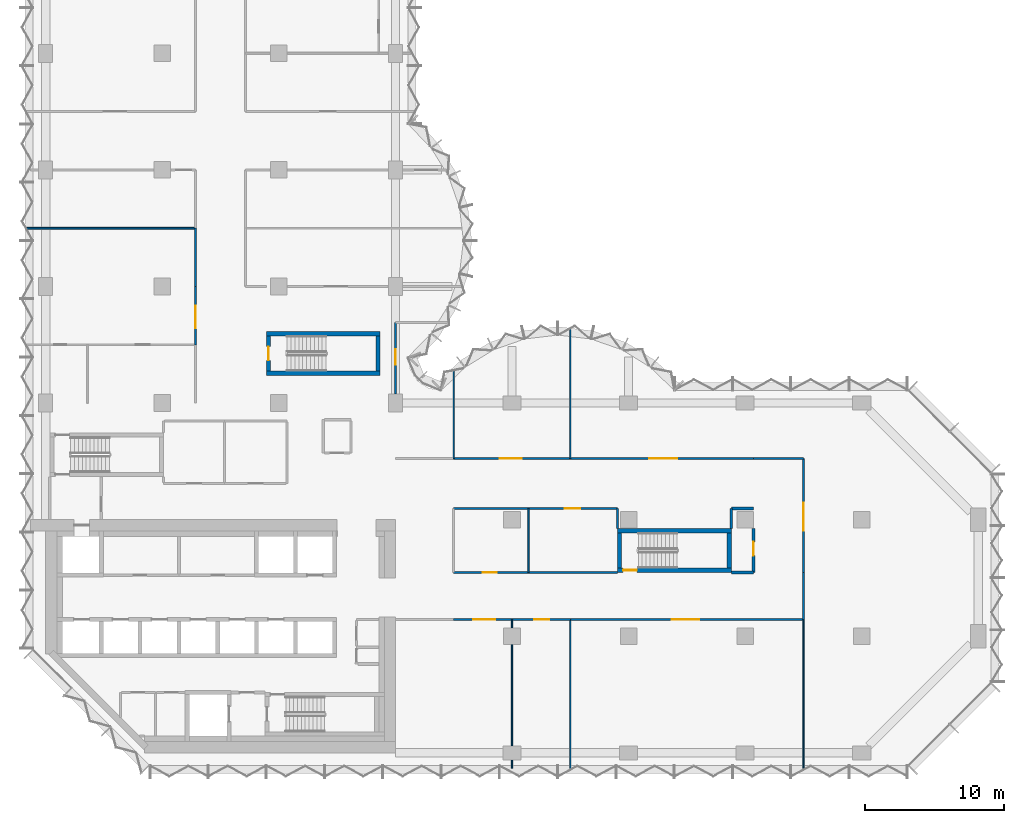
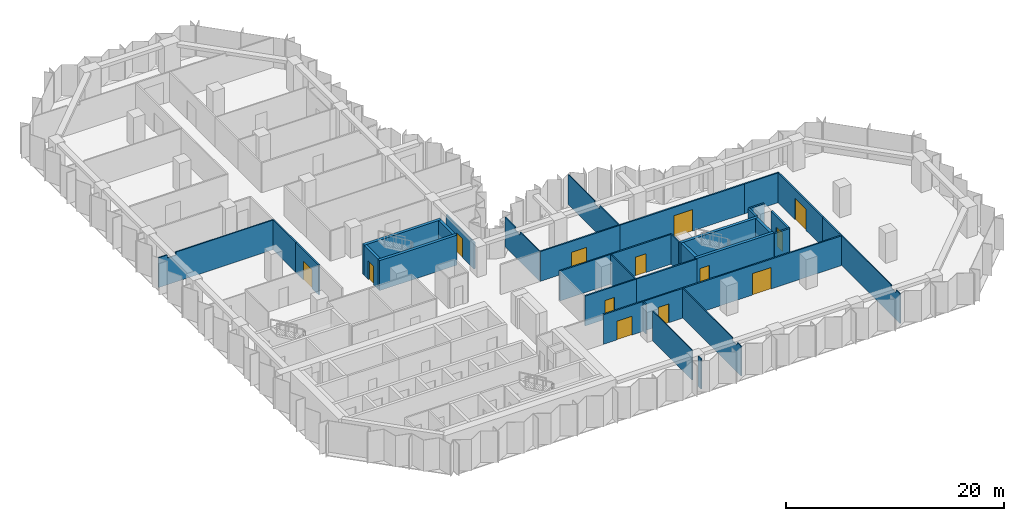
# One storey, part 9 of 13: 37 walls, 13 doors, 13 openings.
"""IFC4 building model written with IfcOpenShell, lengths in metres."""

from ifc_helpers import new_model, si_unit, direction, frame, frame_2d, origin, place, context, subcontext, project, spatial, polyline, rectangle, outline, extrude, material, layer, layer_set, type_object, element, fill, save


model = new_model("IFC4")

# Units and contexts
model_context = context("Model", 3, precision=1e-05, world=origin(), true_north=direction((0.0, 1.0)))
body_context = subcontext(model_context, "Body", "Model", "MODEL_VIEW")
ifc_project = project(units=[si_unit("LENGTHUNIT", "METRE"), si_unit("AREAUNIT", "SQUARE_METRE"), si_unit("VOLUMEUNIT", "CUBIC_METRE"), si_unit("PLANEANGLEUNIT", "RADIAN"), si_unit("MASSUNIT", "GRAM", prefix="KILO")], contexts=[model_context])

# Site, building, storey
site_placement = place(None, origin())
site = spatial("IfcSite", under=ifc_project, at=site_placement, CompositionType="ELEMENT")
building_placement = place(site_placement, origin())
building = spatial("IfcBuilding", under=site, at=building_placement, Name="Brevane Broadcast Tower", CompositionType="ELEMENT")
storey_placement = place(building_placement, frame((0.0, 0.0, 91.699951171875)))
storey = spatial("IfcBuildingStorey", under=building, at=storey_placement, Name="L21", CompositionType="ELEMENT", Elevation=91.699951171875)

# Walls
ifc_material_1 = material(Name="Concrete C60/75", Category="concrete")
ifc_layer_1 = layer(ifc_material_1, 0.300048828125)
ifc_layer_set_1 = layer_set([ifc_layer_1], Name="Core wall 300 mm C60/75")
wall_type_1 = type_object("IfcWallType", Name="Core wall 300 mm C60/75", PredefinedType="SHEAR", material=ifc_layer_set_1)
for number, where, z_axis, x_axis, name in (
    (1, (15.89990234375, 27.35009765625, 0.0), (0.0, 0.0, 1.0), (1.0, 0.0, 0.0), "L21 stair wall ST-3-S"),
    (2, (15.89990234375, 30.199951171875, 0.0), (0.0, 0.0, 1.0), (1.0, 0.0, 0.0), "L21 stair wall ST-3-N"),
):
    element("IfcWall", number, at=place(storey_placement, frame(where, z_axis=z_axis, x_axis=x_axis)), inside=storey, type_object=wall_type_1, Name=name, PredefinedType="SHEAR", context=body_context, shape_type="SweptSolid", body=[
        extrude(rectangle(XDim=8.2001953125, YDim=0.300048828125, at=frame_2d((4.10009765625, 0.0))), origin(), (0.0, 0.0, 1.0), 3.35009765625),
    ])

# Wall, opening, door
wall_1_placement = place(storey_placement, frame((16.050048828125, 27.5, 0.0), z_axis=(0.0, 0.0, 1.0), x_axis=(0.0, 1.0, 0.0)))
wall_1 = element("IfcWall", 3, at=wall_1_placement, inside=storey, type_object=wall_type_1, Name="L21 stair wall ST-3-W", PredefinedType="SHEAR", context=body_context, shape_type="SweptSolid", body=[
    extrude(rectangle(XDim=2.550048828125, YDim=0.300048828125, at=frame_2d((1.27490234375, 0.0))), origin(), (0.0, 0.0, 1.0), 3.35009765625),
])
opening_1_placement = place(wall_1_placement, frame((0.77490234375, 0.0, 0.0)))
opening_1 = element("IfcOpeningElement", 4, at=opening_1_placement, cuts=wall_1, Name="Opening L21-K14", PredefinedType="OPENING", context=body_context, shape_type="SweptSolid", body=[
    extrude(rectangle(XDim=1.0, YDim=2.10009765625, at=frame_2d((0.5, 1.050048828125))), frame((0.0, 0.159912109375, 0.0), z_axis=(0.0, -1.0, 0.0), x_axis=(1.0, 0.0, 0.0)), (0.0, 0.0, 1.0), 0.320068359375),
])
ifc_material_2 = material(Name="Steel", Category="steel")
door_type_1 = type_object("IfcDoorType", Name="Stair door 1000 x 2100", OperationType="SINGLE_SWING_LEFT", PredefinedType="DOOR", material=ifc_material_2)
door_1_placement = place(opening_1_placement, origin())
door_1 = element("IfcDoor", 5, at=door_1_placement, inside=storey, type_object=door_type_1, Name="Door L21-K14", OperationType="SINGLE_SWING_RIGHT", OverallHeight=2.10009765625, OverallWidth=1.0, PredefinedType="DOOR", context=body_context, shape_type="SweptSolid", body=[
    extrude(rectangle(XDim=1.0, YDim=2.10009765625, at=frame_2d((0.5, 1.050048828125))), frame((0.0, 0.02490234375, 0.0), z_axis=(0.0, -1.0, 0.0), x_axis=(1.0, 0.0, 0.0)), (0.0, 0.0, 1.0), 0.050048828125),
])
fill(opening_1, door_1)

# Wall
wall_2_placement = place(storey_placement, frame((23.949951171875, 27.5, 0.0), z_axis=(0.0, 0.0, 1.0), x_axis=(0.0, 1.0, 0.0)))
element("IfcWall", 6, at=wall_2_placement, inside=storey, type_object=wall_type_1, Name="L21 stair wall ST-3-E", PredefinedType="SHEAR", context=body_context, shape_type="SweptSolid", body=[
    extrude(rectangle(XDim=2.550048828125, YDim=0.300048828125, at=frame_2d((1.27490234375, 0.0))), origin(), (0.0, 0.0, 1.0), 3.35009765625),
])

# Wall, opening, door
wall_3_placement = place(storey_placement, frame((49.39990234375, 13.14990234375, 0.0), z_axis=(0.0, 0.0, 1.0), x_axis=(-1.0, 0.0, 0.0)))
wall_3 = element("IfcWall", 7, at=wall_3_placement, inside=storey, type_object=wall_type_1, Name="L21 stair wall ST-4-S", PredefinedType="SHEAR", context=body_context, shape_type="SweptSolid", body=[
    extrude(rectangle(XDim=8.199951171875, YDim=0.300048828125, at=frame_2d((4.10009765625, 0.0))), origin(), (0.0, 0.0, 1.0), 3.35009765625),
])
opening_2_placement = place(wall_3_placement, frame((6.800048828125, 0.0, 0.0)))
opening_2 = element("IfcOpeningElement", 8, at=opening_2_placement, cuts=wall_3, Name="Opening L21-K15", PredefinedType="OPENING", context=body_context, shape_type="SweptSolid", body=[
    extrude(rectangle(XDim=1.0, YDim=2.10009765625, at=frame_2d((0.5, 1.050048828125))), frame((0.0, 0.159912109375, 0.0), z_axis=(0.0, -1.0, 0.0), x_axis=(1.0, 0.0, 0.0)), (0.0, 0.0, 1.0), 0.320068359375),
])
door_2_placement = place(opening_2_placement, origin())
door_2 = element("IfcDoor", 9, at=door_2_placement, inside=storey, type_object=door_type_1, Name="Door L21-K15", OperationType="SINGLE_SWING_LEFT", OverallHeight=2.10009765625, OverallWidth=1.0, PredefinedType="DOOR", context=body_context, shape_type="SweptSolid", body=[
    extrude(rectangle(XDim=1.0, YDim=2.10009765625, at=frame_2d((0.5, 1.050048828125))), frame((0.0, 0.02490234375, 0.0), z_axis=(0.0, -1.0, 0.0), x_axis=(1.0, 0.0, 0.0)), (0.0, 0.0, 1.0), 0.050048828125),
])
fill(opening_2, door_2)

# Walls
wall_4_placement = place(storey_placement, frame((41.199951171875, 16.0, 0.0), z_axis=(0.0, 0.0, 1.0), x_axis=(1.0, 0.0, 0.0)))
element("IfcWall", 10, at=wall_4_placement, inside=storey, type_object=wall_type_1, Name="L21 stair wall ST-4-N", PredefinedType="SHEAR", context=body_context, shape_type="SweptSolid", body=[
    extrude(rectangle(XDim=8.199951171875, YDim=0.300048828125, at=frame_2d((4.10009765625, 0.0))), origin(), (0.0, 0.0, 1.0), 3.35009765625),
])
for number, where, z_axis, x_axis, name in (
    (11, (41.35009765625, 13.300048828125, 0.0), (0.0, 0.0, 1.0), (0.0, 1.0, 0.0), "L21 stair wall ST-4-W"),
    (12, (49.25, 13.300048828125, 0.0), (0.0, 0.0, 1.0), (0.0, 1.0, 0.0), "L21 stair wall ST-4-E"),
):
    element("IfcWall", number, at=place(storey_placement, frame(where, z_axis=z_axis, x_axis=x_axis)), inside=storey, type_object=wall_type_1, Name=name, PredefinedType="SHEAR", context=body_context, shape_type="SweptSolid", body=[
        extrude(rectangle(XDim=2.550048828125, YDim=0.300048828125, at=frame_2d((1.27490234375, 0.0))), origin(), (0.0, 0.0, 1.0), 3.35009765625),
    ])
ifc_material_3 = material(Name="Gypsum board partition")
ifc_layer_2 = layer(ifc_material_3, 0.10009765625)
ifc_layer_set_2 = layer_set([ifc_layer_2], Name="PARTITION 100 STUD")
wall_type_2 = type_object("IfcWallType", Name="PARTITION 100 STUD", PredefinedType="PARTITIONING", material=ifc_layer_set_2)
wall_5_placement = place(storey_placement, frame((29.39990234375, 27.510986328125, 0.0), z_axis=(0.0, 0.0, 1.0), x_axis=(0.0, -1.0, 0.0)))
element("IfcWall", 13, at=wall_5_placement, inside=storey, type_object=wall_type_2, Name="Partition G06-004", PredefinedType="PARTITIONING", context=body_context, shape_type="SweptSolid", body=[
    extrude(outline(polyline([(0.0, 0.0), (6.31103515625, 0.0), (6.31103515625, 3.330078125), (2.760986328125, 3.330078125), (2.759033203125, 2.97998046875), (1.863037109375, 2.97998046875), (1.861083984375, 3.330078125), (0.236083984375, 3.330078125), (0.0, 3.330078125), (0.0, 0.0)])), frame((0.0, 0.050048828125, 0.0), z_axis=(0.0, -1.0, 0.0), x_axis=(1.0, 0.0, 0.0)), (0.0, 0.0, 1.0), 0.10009765625),
])
wall_6_placement = place(storey_placement, frame((54.60009765625, -1.174072265625, 0.0), z_axis=(0.0, 0.0, 1.0), x_axis=(0.0, 1.0, 0.0)))
element("IfcWall", 14, at=wall_6_placement, inside=storey, type_object=wall_type_2, Name="Partition G06-015", PredefinedType="PARTITIONING", context=body_context, shape_type="SweptSolid", body=[
    extrude(outline(polyline([(0.0, 0.0), (10.774169921875, 0.0), (10.77392578125, 3.330078125), (1.6240234375, 3.330078125), (1.6220703125, 2.97998046875), (0.72607421875, 2.97998046875), (0.72412109375, 3.330078125), (0.073974609375, 3.330078125), (0.0, 3.330078125), (0.0, 0.0)])), frame((0.0, 0.050048828125, 0.0), z_axis=(0.0, -1.0, 0.0), x_axis=(1.0, 0.0, 0.0)), (0.0, 0.0, 1.0), 0.10009765625),
])
wall_7_placement = place(storey_placement, frame((34.800048828125, 17.60009765625, 0.0), z_axis=(0.0, 0.0, 1.0), x_axis=(0.0, -1.0, 0.0)))
element("IfcWall", 15, at=wall_7_placement, inside=storey, type_object=wall_type_2, Name="Partition G06-025", PredefinedType="PARTITIONING", context=body_context, shape_type="SweptSolid", body=[
    extrude(rectangle(XDim=4.60009765625, YDim=0.10009765625, at=frame_2d((2.300048828125, 0.0))), origin(), (0.0, 0.0, 1.0), 3.330078125),
])
wall_8_placement = place(storey_placement, frame((33.60009765625, 9.60009765625, 0.0), z_axis=(0.0, 0.0, 1.0), x_axis=(0.0, -1.0, 0.0)))
element("IfcWall", 16, at=wall_8_placement, inside=storey, type_object=wall_type_2, Name="Partition G06-026", PredefinedType="PARTITIONING", context=body_context, shape_type="SweptSolid", body=[
    extrude(rectangle(XDim=0.580078125, YDim=0.10009765625, at=frame_2d((0.2900390625, 0.0))), origin(), (0.0, 0.0, 1.0), 3.330078125),
])
wall_9_placement = place(storey_placement, frame((33.60009765625, 7.780029296875, 0.0), z_axis=(0.0, 0.0, 1.0), x_axis=(0.0, -1.0, 0.0)))
element("IfcWall", 17, at=wall_9_placement, inside=storey, type_object=wall_type_2, Name="Partition G06-027", PredefinedType="PARTITIONING", context=body_context, shape_type="SweptSolid", body=[
    extrude(rectangle(XDim=7.260009765625, YDim=0.10009765625, at=frame_2d((3.6298828125, 0.0))), origin(), (0.0, 0.0, 1.0), 3.330078125),
])
wall_10_placement = place(storey_placement, frame((33.60009765625, -0.52001953125, 0.0), z_axis=(0.0, 0.0, 1.0), x_axis=(0.0, -1.0, 0.0)))
element("IfcWall", 18, at=wall_10_placement, inside=storey, type_object=wall_type_2, Name="Partition G06-028", PredefinedType="PARTITIONING", context=body_context, shape_type="SweptSolid", body=[
    extrude(rectangle(XDim=0.580078125, YDim=0.10009765625, at=frame_2d((0.2900390625, 0.0))), origin(), (0.0, 0.0, 1.0), 3.330078125),
])
wall_11_placement = place(storey_placement, frame((37.800048828125, 9.60009765625, 0.0), z_axis=(0.0, 0.0, 1.0), x_axis=(0.0, -1.0, 0.0)))
element("IfcWall", 19, at=wall_11_placement, inside=storey, type_object=wall_type_2, Name="Partition G06-029", PredefinedType="PARTITIONING", context=body_context, shape_type="SweptSolid", body=[
    extrude(outline(polyline([(0.0, 0.0), (10.774169921875, 0.0), (10.77392578125, 3.330078125), (10.699951171875, 3.330078125), (10.050048828125, 3.330078125), (10.048095703125, 2.97998046875), (9.152099609375, 2.97998046875), (9.14990234375, 3.330078125), (0.0, 3.330078125), (0.0, 0.0)])), frame((0.0, 0.050048828125, 0.0), z_axis=(0.0, -1.0, 0.0), x_axis=(1.0, 0.0, 0.0)), (0.0, 0.0, 1.0), 0.10009765625),
])
wall_12_placement = place(storey_placement, frame((37.800048828125, 30.52587890625, 0.0), z_axis=(0.0, 0.0, 1.0), x_axis=(0.0, -1.0, 0.0)))
element("IfcWall", 20, at=wall_12_placement, inside=storey, type_object=wall_type_2, Name="Partition G06-030", PredefinedType="PARTITIONING", context=body_context, shape_type="SweptSolid", body=[
    extrude(outline(polyline([(0.0, 0.0), (9.325927734375, 0.0), (9.325927734375, 3.330078125), (5.77587890625, 3.330078125), (5.77392578125, 2.97998046875), (4.8779296875, 2.97998046875), (4.8759765625, 3.330078125), (0.283203125, 3.330078125), (0.0, 3.330078125), (0.0, 0.0)])), frame((0.0, 0.050048828125, 0.0), z_axis=(0.0, -1.0, 0.0), x_axis=(1.0, 0.0, 0.0)), (0.0, 0.0, 1.0), 0.10009765625),
])
ifc_layer_3 = layer(ifc_material_3, 0.125)
ifc_layer_set_3 = layer_set([ifc_layer_3], Name="PARTITION 125 ACOUSTIC")
wall_type_3 = type_object("IfcWallType", Name="PARTITION 125 ACOUSTIC", PredefinedType="PARTITIONING", material=ifc_layer_set_3)
wall_13_placement = place(storey_placement, frame((-1.364990234375, 37.800048828125, 0.0), z_axis=(0.0, 0.0, 1.0), x_axis=(1.0, 0.0, 0.0)))
element("IfcWall", 21, at=wall_13_placement, inside=storey, type_object=wall_type_3, Name="Partition G06-054", PredefinedType="PARTITIONING", context=body_context, shape_type="SweptSolid", body=[
    extrude(outline(polyline([(0.0, 0.0), (12.1650390625, 0.0), (12.1650390625, 3.330078125), (1.81494140625, 3.330078125), (1.81298828125, 2.97998046875), (0.9169921875, 2.97998046875), (0.9150390625, 3.330078125), (0.264892578125, 3.330078125), (0.0, 3.330078125), (0.0, 0.0)])), frame((0.0, 0.0625, 0.0), z_axis=(0.0, -1.0, 0.0), x_axis=(1.0, 0.0, 0.0)), (0.0, 0.0, 1.0), 0.125),
])

# Wall, opening, door
ifc_layer_4 = layer(ifc_material_3, 0.14990234375)
ifc_layer_set_4 = layer_set([ifc_layer_4], Name="PARTITION 150 EI 60")
wall_type_4 = type_object("IfcWallType", Name="PARTITION 150 EI 60", PredefinedType="PARTITIONING", material=ifc_layer_set_4)
wall_14_placement = place(storey_placement, frame((25.199951171875, 31.0, 0.0), z_axis=(0.0, 0.0, 1.0), x_axis=(0.0, -1.0, 0.0)))
wall_14 = element("IfcWall", 22, at=wall_14_placement, inside=storey, type_object=wall_type_4, Name="Partition G06-005", PredefinedType="PARTITIONING", context=body_context, shape_type="SweptSolid", body=[
    extrude(outline(polyline([(0.0, 0.0), (5.1298828125, 0.0), (5.1298828125, 2.97998046875), (0.0, 2.97998046875), (0.0, 0.0)])), frame((0.0, 0.074951171875, 0.0), z_axis=(0.0, -1.0, 0.0), x_axis=(1.0, 0.0, 0.0)), (0.0, 0.0, 1.0), 0.14990234375),
])
opening_3_placement = place(wall_14_placement, frame((1.929931640625, 0.0, 0.0)))
opening_3 = element("IfcOpeningElement", 23, at=opening_3_placement, cuts=wall_14, Name="Opening D13-001", PredefinedType="OPENING", context=body_context, shape_type="SweptSolid", body=[
    extrude(rectangle(XDim=1.10009765625, YDim=2.10009765625, at=frame_2d((0.550048828125, 1.050048828125))), frame((0.0, 0.0849609375, 0.0), z_axis=(0.0, -1.0, 0.0), x_axis=(1.0, 0.0, 0.0)), (0.0, 0.0, 1.0), 0.169921875),
])
ifc_material_4 = material(Name="Fire-rated timber door leaf", Category="wood")
door_type_2 = type_object("IfcDoorType", Name="DOOR SINGLE 1100 FD30S", OperationType="SINGLE_SWING_LEFT", PredefinedType="DOOR", material=ifc_material_4)
door_3_placement = place(opening_3_placement, origin())
door_3 = element("IfcDoor", 24, at=door_3_placement, inside=storey, type_object=door_type_2, Name="Door D13-001", OperationType="SINGLE_SWING_RIGHT", OverallHeight=2.10009765625, OverallWidth=1.10009765625, PredefinedType="DOOR", context=body_context, shape_type="SweptSolid", body=[
    extrude(rectangle(XDim=1.10009765625, YDim=2.10009765625, at=frame_2d((0.550048828125, 1.050048828125))), frame((0.0, 0.02490234375, 0.0), z_axis=(0.0, -1.0, 0.0), x_axis=(1.0, 0.0, 0.0)), (0.0, 0.0, 1.0), 0.050048828125),
])
fill(opening_3, door_3)

# Wall
wall_15_placement = place(storey_placement, frame((54.60009765625, 13.0, 0.0), z_axis=(0.0, 0.0, 1.0), x_axis=(0.0, -1.0, 0.0)))
element("IfcWall", 25, at=wall_15_placement, inside=storey, type_object=wall_type_4, Name="Partition G06-007", PredefinedType="PARTITIONING", context=body_context, shape_type="SweptSolid", body=[
    extrude(rectangle(XDim=3.39990234375, YDim=0.14990234375, at=frame_2d((1.699951171875, 0.0))), origin(), (0.0, 0.0, 1.0), 3.330078125),
])

# Wall, opening, door
wall_16_placement = place(storey_placement, frame((29.39990234375, 13.0, 0.0), z_axis=(0.0, 0.0, 1.0), x_axis=(1.0, 0.0, 0.0)))
wall_16 = element("IfcWall", 26, at=wall_16_placement, inside=storey, type_object=wall_type_4, Name="Partition G06-008", PredefinedType="PARTITIONING", context=body_context, shape_type="SweptSolid", body=[
    extrude(rectangle(XDim=5.400146484375, YDim=0.14990234375, at=frame_2d((2.7001953125, 0.0))), origin(), (0.0, 0.0, 1.0), 3.330078125),
])
opening_4_placement = place(wall_16_placement, frame((2.10009765625, 0.0, 0.0)))
opening_4 = element("IfcOpeningElement", 27, at=opening_4_placement, cuts=wall_16, Name="Opening D13-003", PredefinedType="OPENING", context=body_context, shape_type="SweptSolid", body=[
    extrude(rectangle(XDim=1.0, YDim=2.10009765625, at=frame_2d((0.5, 1.050048828125))), frame((0.0, 0.0849609375, 0.0), z_axis=(0.0, -1.0, 0.0), x_axis=(1.0, 0.0, 0.0)), (0.0, 0.0, 1.0), 0.169921875),
])
door_type_3 = type_object("IfcDoorType", Name="DOOR SINGLE 1000 FD30S", OperationType="SINGLE_SWING_LEFT", PredefinedType="DOOR", material=ifc_material_4)
door_4_placement = place(opening_4_placement, origin())
door_4 = element("IfcDoor", 28, at=door_4_placement, inside=storey, type_object=door_type_3, Name="Door D13-003", OperationType="SINGLE_SWING_LEFT", OverallHeight=2.10009765625, OverallWidth=1.0, PredefinedType="DOOR", context=body_context, shape_type="SweptSolid", body=[
    extrude(rectangle(XDim=1.0, YDim=2.10009765625, at=frame_2d((0.5, 1.050048828125))), frame((0.0, 0.02490234375, 0.0), z_axis=(0.0, -1.0, 0.0), x_axis=(1.0, 0.0, 0.0)), (0.0, 0.0, 1.0), 0.050048828125),
])
fill(opening_4, door_4)

# Wall
wall_17_placement = place(storey_placement, frame((34.800048828125, 13.0, 0.0), z_axis=(0.0, 0.0, 1.0), x_axis=(1.0, 0.0, 0.0)))
element("IfcWall", 29, at=wall_17_placement, inside=storey, type_object=wall_type_4, Name="Partition G06-009", PredefinedType="PARTITIONING", context=body_context, shape_type="SweptSolid", body=[
    extrude(rectangle(XDim=6.39990234375, YDim=0.14990234375, at=frame_2d((3.199951171875, 0.0))), origin(), (0.0, 0.0, 1.0), 3.330078125),
])

# Wall, opening, door
wall_18_placement = place(storey_placement, frame((33.60009765625, 9.60009765625, 0.0), z_axis=(0.0, 0.0, 1.0), x_axis=(-1.0, 0.0, 0.0)))
wall_18 = element("IfcWall", 30, at=wall_18_placement, inside=storey, type_object=wall_type_4, Name="Partition G06-011", PredefinedType="PARTITIONING", context=body_context, shape_type="SweptSolid", body=[
    extrude(rectangle(XDim=4.2001953125, YDim=0.14990234375, at=frame_2d((2.10009765625, 0.0))), origin(), (0.0, 0.0, 1.0), 3.330078125),
])
opening_5_placement = place(wall_18_placement, frame((1.199951171875, 0.0, 0.0)))
opening_5 = element("IfcOpeningElement", 31, at=opening_5_placement, cuts=wall_18, Name="Opening D13-006", PredefinedType="OPENING", context=body_context, shape_type="SweptSolid", body=[
    extrude(rectangle(XDim=1.60009765625, YDim=2.10009765625, at=frame_2d((0.800048828125, 1.050048828125))), frame((0.0, 0.0849609375, 0.0), z_axis=(0.0, -1.0, 0.0), x_axis=(1.0, 0.0, 0.0)), (0.0, 0.0, 1.0), 0.169921875),
])
door_type_4 = type_object("IfcDoorType", Name="DOOR DOUBLE 1600 FD30S", OperationType="DOUBLE_DOOR_SINGLE_SWING", PredefinedType="DOOR", material=ifc_material_4)
door_5_placement = place(opening_5_placement, origin())
door_5 = element("IfcDoor", 32, at=door_5_placement, inside=storey, type_object=door_type_4, Name="Door D13-006", OperationType="DOUBLE_DOOR_SINGLE_SWING", OverallHeight=2.10009765625, OverallWidth=1.60009765625, PredefinedType="DOOR", context=body_context, shape_type="SweptSolid", body=[
    extrude(rectangle(XDim=1.60009765625, YDim=2.10009765625, at=frame_2d((0.800048828125, 1.050048828125))), frame((0.0, 0.02490234375, 0.0), z_axis=(0.0, -1.0, 0.0), x_axis=(1.0, 0.0, 0.0)), (0.0, 0.0, 1.0), 0.050048828125),
])
fill(opening_5, door_5)

wall_19_placement = place(storey_placement, frame((37.800048828125, 9.60009765625, 0.0), z_axis=(0.0, 0.0, 1.0), x_axis=(-1.0, 0.0, 0.0)))
wall_19 = element("IfcWall", 33, at=wall_19_placement, inside=storey, type_object=wall_type_4, Name="Partition G06-012", PredefinedType="PARTITIONING", context=body_context, shape_type="SweptSolid", body=[
    extrude(rectangle(XDim=4.199951171875, YDim=0.14990234375, at=frame_2d((2.10009765625, 0.0))), origin(), (0.0, 0.0, 1.0), 3.330078125),
])
opening_6_placement = place(wall_19_placement, frame((1.5, 0.0, 0.0)))
opening_6 = element("IfcOpeningElement", 34, at=opening_6_placement, cuts=wall_19, Name="Opening D13-007", PredefinedType="OPENING", context=body_context, shape_type="SweptSolid", body=[
    extrude(rectangle(XDim=1.10009765625, YDim=2.10009765625, at=frame_2d((0.550048828125, 1.050048828125))), frame((0.0, 0.0849609375, 0.0), z_axis=(0.0, -1.0, 0.0), x_axis=(1.0, 0.0, 0.0)), (0.0, 0.0, 1.0), 0.169921875),
])
door_6_placement = place(opening_6_placement, origin())
door_6 = element("IfcDoor", 35, at=door_6_placement, inside=storey, type_object=door_type_2, Name="Door D13-007", OperationType="SINGLE_SWING_LEFT", OverallHeight=2.10009765625, OverallWidth=1.10009765625, PredefinedType="DOOR", context=body_context, shape_type="SweptSolid", body=[
    extrude(rectangle(XDim=1.10009765625, YDim=2.10009765625, at=frame_2d((0.550048828125, 1.050048828125))), frame((0.0, 0.02490234375, 0.0), z_axis=(0.0, -1.0, 0.0), x_axis=(1.0, 0.0, 0.0)), (0.0, 0.0, 1.0), 0.050048828125),
])
fill(opening_6, door_6)

wall_20_placement = place(storey_placement, frame((54.60009765625, 9.60009765625, 0.0), z_axis=(0.0, 0.0, 1.0), x_axis=(-1.0, 0.0, 0.0)))
wall_20 = element("IfcWall", 36, at=wall_20_placement, inside=storey, type_object=wall_type_4, Name="Partition G06-013", PredefinedType="PARTITIONING", context=body_context, shape_type="SweptSolid", body=[
    extrude(rectangle(XDim=16.800048828125, YDim=0.14990234375, at=frame_2d((8.39990234375, 0.0))), origin(), (0.0, 0.0, 1.0), 3.330078125),
])
opening_7_placement = place(wall_20_placement, frame((7.5, 0.0, 0.0)))
opening_7 = element("IfcOpeningElement", 37, at=opening_7_placement, cuts=wall_20, Name="Opening D13-008", PredefinedType="OPENING", context=body_context, shape_type="SweptSolid", body=[
    extrude(rectangle(XDim=2.0, YDim=2.39990234375, at=frame_2d((1.0, 1.199951171875))), frame((0.0, 0.0849609375, 0.0), z_axis=(0.0, -1.0, 0.0), x_axis=(1.0, 0.0, 0.0)), (0.0, 0.0, 1.0), 0.169921875),
])
door_type_5 = type_object("IfcDoorType", Name="DOOR DOUBLE 2000 FD30S", OperationType="DOUBLE_DOOR_SINGLE_SWING", PredefinedType="DOOR", material=ifc_material_4)
door_7_placement = place(opening_7_placement, origin())
door_7 = element("IfcDoor", 38, at=door_7_placement, inside=storey, type_object=door_type_5, Name="Door D13-008", OperationType="DOUBLE_DOOR_SINGLE_SWING", OverallHeight=2.39990234375, OverallWidth=2.0, PredefinedType="DOOR", context=body_context, shape_type="SweptSolid", body=[
    extrude(rectangle(XDim=2.0, YDim=2.39990234375, at=frame_2d((1.0, 1.199951171875))), frame((0.0, 0.02490234375, 0.0), z_axis=(0.0, -1.0, 0.0), x_axis=(1.0, 0.0, 0.0)), (0.0, 0.0, 1.0), 0.050048828125),
])
fill(opening_7, door_7)

wall_21_placement = place(storey_placement, frame((54.60009765625, 21.199951171875, 0.0), z_axis=(0.0, 0.0, 1.0), x_axis=(0.0, -1.0, 0.0)))
wall_21 = element("IfcWall", 39, at=wall_21_placement, inside=storey, type_object=wall_type_4, Name="Partition G06-014", PredefinedType="PARTITIONING", context=body_context, shape_type="SweptSolid", body=[
    extrude(rectangle(XDim=8.199951171875, YDim=0.14990234375, at=frame_2d((4.10009765625, 0.0))), origin(), (0.0, 0.0, 1.0), 3.330078125),
])
opening_8_placement = place(wall_21_placement, frame((3.199951171875, 0.0, 0.0)))
opening_8 = element("IfcOpeningElement", 40, at=opening_8_placement, cuts=wall_21, Name="Opening D13-002", PredefinedType="OPENING", context=body_context, shape_type="SweptSolid", body=[
    extrude(rectangle(XDim=2.0, YDim=2.39990234375, at=frame_2d((1.0, 1.199951171875))), frame((0.0, 0.0849609375, 0.0), z_axis=(0.0, -1.0, 0.0), x_axis=(1.0, 0.0, 0.0)), (0.0, 0.0, 1.0), 0.169921875),
])
door_8_placement = place(opening_8_placement, origin())
door_8 = element("IfcDoor", 41, at=door_8_placement, inside=storey, type_object=door_type_5, Name="Door D13-002", OperationType="DOUBLE_DOOR_SINGLE_SWING", OverallHeight=2.39990234375, OverallWidth=2.0, PredefinedType="DOOR", context=body_context, shape_type="SweptSolid", body=[
    extrude(rectangle(XDim=2.0, YDim=2.39990234375, at=frame_2d((1.0, 1.199951171875))), frame((0.0, 0.02490234375, 0.0), z_axis=(0.0, -1.0, 0.0), x_axis=(1.0, 0.0, 0.0)), (0.0, 0.0, 1.0), 0.050048828125),
])
fill(opening_8, door_8)

# Walls
wall_22_placement = place(storey_placement, frame((34.800048828125, 17.60009765625, 0.0), z_axis=(0.0, 0.0, 1.0), x_axis=(-1.0, 0.0, 0.0)))
element("IfcWall", 42, at=wall_22_placement, inside=storey, type_object=wall_type_4, Name="Partition G06-016", PredefinedType="PARTITIONING", context=body_context, shape_type="SweptSolid", body=[
    extrude(rectangle(XDim=5.400146484375, YDim=0.14990234375, at=frame_2d((2.7001953125, 0.0))), origin(), (0.0, 0.0, 1.0), 3.330078125),
])
wall_23_placement = place(storey_placement, frame((41.199951171875, 16.14990234375, 0.0), z_axis=(0.0, 0.0, 1.0), x_axis=(0.0, 1.0, 0.0)))
element("IfcWall", 43, at=wall_23_placement, inside=storey, type_object=wall_type_4, Name="Partition G06-017", PredefinedType="PARTITIONING", context=body_context, shape_type="SweptSolid", body=[
    extrude(rectangle(XDim=1.4501953125, YDim=0.14990234375, at=frame_2d((0.72509765625, 0.0))), origin(), (0.0, 0.0, 1.0), 3.330078125),
])

# Wall, opening, door
wall_24_placement = place(storey_placement, frame((41.199951171875, 17.60009765625, 0.0), z_axis=(0.0, 0.0, 1.0), x_axis=(-1.0, 0.0, 0.0)))
wall_24 = element("IfcWall", 44, at=wall_24_placement, inside=storey, type_object=wall_type_4, Name="Partition G06-018", PredefinedType="PARTITIONING", context=body_context, shape_type="SweptSolid", body=[
    extrude(rectangle(XDim=6.39990234375, YDim=0.14990234375, at=frame_2d((3.199951171875, 0.0))), origin(), (0.0, 0.0, 1.0), 3.330078125),
])
opening_9_placement = place(wall_24_placement, frame((2.699951171875, 0.0, 0.0)))
opening_9 = element("IfcOpeningElement", 45, at=opening_9_placement, cuts=wall_24, Name="Opening D13-004", PredefinedType="OPENING", context=body_context, shape_type="SweptSolid", body=[
    extrude(rectangle(XDim=1.10009765625, YDim=2.10009765625, at=frame_2d((0.550048828125, 1.050048828125))), frame((0.0, 0.0849609375, 0.0), z_axis=(0.0, -1.0, 0.0), x_axis=(1.0, 0.0, 0.0)), (0.0, 0.0, 1.0), 0.169921875),
])
door_9_placement = place(opening_9_placement, origin())
door_9 = element("IfcDoor", 46, at=door_9_placement, inside=storey, type_object=door_type_2, Name="Door D13-004", OperationType="SINGLE_SWING_LEFT", OverallHeight=2.10009765625, OverallWidth=1.10009765625, PredefinedType="DOOR", context=body_context, shape_type="SweptSolid", body=[
    extrude(rectangle(XDim=1.10009765625, YDim=2.10009765625, at=frame_2d((0.550048828125, 1.050048828125))), frame((0.0, 0.02490234375, 0.0), z_axis=(0.0, -1.0, 0.0), x_axis=(1.0, 0.0, 0.0)), (0.0, 0.0, 1.0), 0.050048828125),
])
fill(opening_9, door_9)

wall_25_placement = place(storey_placement, frame((29.39990234375, 21.199951171875, 0.0), z_axis=(0.0, 0.0, 1.0), x_axis=(1.0, 0.0, 0.0)))
wall_25 = element("IfcWall", 47, at=wall_25_placement, inside=storey, type_object=wall_type_4, Name="Partition G06-021", PredefinedType="PARTITIONING", context=body_context, shape_type="SweptSolid", body=[
    extrude(rectangle(XDim=8.400146484375, YDim=0.14990234375, at=frame_2d((4.2001953125, 0.0))), origin(), (0.0, 0.0, 1.0), 3.330078125),
])
opening_10_placement = place(wall_25_placement, frame((3.300048828125, 0.0, 0.0)))
opening_10 = element("IfcOpeningElement", 48, at=opening_10_placement, cuts=wall_25, Name="Opening D13-009", PredefinedType="OPENING", context=body_context, shape_type="SweptSolid", body=[
    extrude(rectangle(XDim=1.60009765625, YDim=2.10009765625, at=frame_2d((0.800048828125, 1.050048828125))), frame((0.0, 0.0849609375, 0.0), z_axis=(0.0, -1.0, 0.0), x_axis=(1.0, 0.0, 0.0)), (0.0, 0.0, 1.0), 0.169921875),
])
door_10_placement = place(opening_10_placement, origin())
door_10 = element("IfcDoor", 49, at=door_10_placement, inside=storey, type_object=door_type_4, Name="Door D13-009", OperationType="DOUBLE_DOOR_SINGLE_SWING", OverallHeight=2.10009765625, OverallWidth=1.60009765625, PredefinedType="DOOR", context=body_context, shape_type="SweptSolid", body=[
    extrude(rectangle(XDim=1.60009765625, YDim=2.10009765625, at=frame_2d((0.800048828125, 1.050048828125))), frame((0.0, 0.02490234375, 0.0), z_axis=(0.0, -1.0, 0.0), x_axis=(1.0, 0.0, 0.0)), (0.0, 0.0, 1.0), 0.050048828125),
])
fill(opening_10, door_10)

wall_26_placement = place(storey_placement, frame((37.800048828125, 21.199951171875, 0.0), z_axis=(0.0, 0.0, 1.0), x_axis=(1.0, 0.0, 0.0)))
wall_26 = element("IfcWall", 50, at=wall_26_placement, inside=storey, type_object=wall_type_4, Name="Partition G06-022", PredefinedType="PARTITIONING", context=body_context, shape_type="SweptSolid", body=[
    extrude(rectangle(XDim=13.199951171875, YDim=0.14990234375, at=frame_2d((6.60009765625, 0.0))), origin(), (0.0, 0.0, 1.0), 3.330078125),
])
opening_11_placement = place(wall_26_placement, frame((5.699951171875, 0.0, 0.0)))
opening_11 = element("IfcOpeningElement", 51, at=opening_11_placement, cuts=wall_26, Name="Opening D13-010", PredefinedType="OPENING", context=body_context, shape_type="SweptSolid", body=[
    extrude(rectangle(XDim=2.0, YDim=2.39990234375, at=frame_2d((1.0, 1.199951171875))), frame((0.0, 0.0849609375, 0.0), z_axis=(0.0, -1.0, 0.0), x_axis=(1.0, 0.0, 0.0)), (0.0, 0.0, 1.0), 0.169921875),
])
door_11_placement = place(opening_11_placement, origin())
door_11 = element("IfcDoor", 52, at=door_11_placement, inside=storey, type_object=door_type_5, Name="Door D13-010", OperationType="DOUBLE_DOOR_SINGLE_SWING", OverallHeight=2.39990234375, OverallWidth=2.0, PredefinedType="DOOR", context=body_context, shape_type="SweptSolid", body=[
    extrude(rectangle(XDim=2.0, YDim=2.39990234375, at=frame_2d((1.0, 1.199951171875))), frame((0.0, 0.02490234375, 0.0), z_axis=(0.0, -1.0, 0.0), x_axis=(1.0, 0.0, 0.0)), (0.0, 0.0, 1.0), 0.050048828125),
])
fill(opening_11, door_11)

# Wall
wall_27_placement = place(storey_placement, frame((51.0, 21.199951171875, 0.0), z_axis=(0.0, 0.0, 1.0), x_axis=(1.0, 0.0, 0.0)))
element("IfcWall", 53, at=wall_27_placement, inside=storey, type_object=wall_type_4, Name="Partition G06-024", PredefinedType="PARTITIONING", context=body_context, shape_type="SweptSolid", body=[
    extrude(rectangle(XDim=3.60009765625, YDim=0.14990234375, at=frame_2d((1.800048828125, 0.0))), origin(), (0.0, 0.0, 1.0), 3.330078125),
])

# Wall, opening, door
wall_28_placement = place(storey_placement, frame((10.800048828125, 29.39990234375, 0.0), z_axis=(0.0, 0.0, 1.0), x_axis=(0.0, 1.0, 0.0)))
wall_28 = element("IfcWall", 54, at=wall_28_placement, inside=storey, type_object=wall_type_4, Name="Partition G06-031", PredefinedType="PARTITIONING", context=body_context, shape_type="SweptSolid", body=[
    extrude(rectangle(XDim=4.2001953125, YDim=0.14990234375, at=frame_2d((2.10009765625, 0.0))), origin(), (0.0, 0.0, 1.0), 3.330078125),
])
opening_12_placement = place(wall_28_placement, frame((1.199951171875, 0.0, 0.0)))
opening_12 = element("IfcOpeningElement", 55, at=opening_12_placement, cuts=wall_28, Name="Opening D13-012", PredefinedType="OPENING", context=body_context, shape_type="SweptSolid", body=[
    extrude(rectangle(XDim=1.60009765625, YDim=2.10009765625, at=frame_2d((0.800048828125, 1.050048828125))), frame((0.0, 0.0849609375, 0.0), z_axis=(0.0, -1.0, 0.0), x_axis=(1.0, 0.0, 0.0)), (0.0, 0.0, 1.0), 0.169921875),
])
door_12_placement = place(opening_12_placement, origin())
door_12 = element("IfcDoor", 56, at=door_12_placement, inside=storey, type_object=door_type_4, Name="Door D13-012", OperationType="DOUBLE_DOOR_SINGLE_SWING", OverallHeight=2.10009765625, OverallWidth=1.60009765625, PredefinedType="DOOR", context=body_context, shape_type="SweptSolid", body=[
    extrude(rectangle(XDim=1.60009765625, YDim=2.10009765625, at=frame_2d((0.800048828125, 1.050048828125))), frame((0.0, 0.02490234375, 0.0), z_axis=(0.0, -1.0, 0.0), x_axis=(1.0, 0.0, 0.0)), (0.0, 0.0, 1.0), 0.050048828125),
])
fill(opening_12, door_12)

# Walls
wall_29_placement = place(storey_placement, frame((10.800048828125, 33.60009765625, 0.0), z_axis=(0.0, 0.0, 1.0), x_axis=(0.0, 1.0, 0.0)))
element("IfcWall", 57, at=wall_29_placement, inside=storey, type_object=wall_type_4, Name="Partition G06-037", PredefinedType="PARTITIONING", context=body_context, shape_type="SweptSolid", body=[
    extrude(rectangle(XDim=4.199951171875, YDim=0.14990234375, at=frame_2d((2.10009765625, 0.0))), origin(), (0.0, 0.0, 1.0), 3.330078125),
])
ifc_layer_5 = layer(ifc_material_3, 0.199951171875)
ifc_layer_set_5 = layer_set([ifc_layer_5], Name="PARTITION 200 EI 120")
wall_type_5 = type_object("IfcWallType", Name="PARTITION 200 EI 120", PredefinedType="PARTITIONING", material=ifc_layer_set_5)
for number, where, z_axis, x_axis, name in (
    (58, (49.39990234375, 13.0, 0.0), (0.0, 0.0, 1.0), (1.0, 0.0, 0.0), "Partition G06-010"),
    (59, (51.0, 17.60009765625, 0.0), (0.0, 0.0, 1.0), (-1.0, 0.0, 0.0), "Partition G06-019"),
):
    element("IfcWall", number, at=place(storey_placement, frame(where, z_axis=z_axis, x_axis=x_axis)), inside=storey, type_object=wall_type_5, Name=name, PredefinedType="PARTITIONING", context=body_context, shape_type="SweptSolid", body=[
        extrude(rectangle(XDim=1.60009765625, YDim=0.199951171875, at=frame_2d((0.800048828125, 0.0))), origin(), (0.0, 0.0, 1.0), 3.330078125),
    ])
wall_30_placement = place(storey_placement, frame((49.39990234375, 17.60009765625, 0.0), z_axis=(0.0, 0.0, 1.0), x_axis=(0.0, -1.0, 0.0)))
element("IfcWall", 60, at=wall_30_placement, inside=storey, type_object=wall_type_5, Name="Partition G06-020", PredefinedType="PARTITIONING", context=body_context, shape_type="SweptSolid", body=[
    extrude(rectangle(XDim=1.4501953125, YDim=0.199951171875, at=frame_2d((0.72509765625, 0.0))), origin(), (0.0, 0.0, 1.0), 3.330078125),
])

# Wall, opening, door
wall_31_placement = place(storey_placement, frame((51.0, 13.0, 0.0), z_axis=(0.0, 0.0, 1.0), x_axis=(0.0, 1.0, 0.0)))
wall_31 = element("IfcWall", 61, at=wall_31_placement, inside=storey, type_object=wall_type_5, Name="Partition G06-023", PredefinedType="PARTITIONING", context=body_context, shape_type="SweptSolid", body=[
    extrude(rectangle(XDim=3.179931640625, YDim=0.199951171875, at=frame_2d((1.58984375, 0.0))), origin(), (0.0, 0.0, 1.0), 3.330078125),
])
opening_13_placement = place(wall_31_placement, frame((1.199951171875, 0.0, 0.0)))
opening_13 = element("IfcOpeningElement", 62, at=opening_13_placement, cuts=wall_31, Name="Opening D13-005", PredefinedType="OPENING", context=body_context, shape_type="SweptSolid", body=[
    extrude(rectangle(XDim=1.0, YDim=2.10009765625, at=frame_2d((0.5, 1.050048828125))), frame((0.0, 0.10986328125, 0.0), z_axis=(0.0, -1.0, 0.0), x_axis=(1.0, 0.0, 0.0)), (0.0, 0.0, 1.0), 0.219970703125),
])
door_type_6 = type_object("IfcDoorType", Name="DOOR SINGLE 1000 FD60", OperationType="SINGLE_SWING_LEFT", PredefinedType="DOOR", material=ifc_material_4)
door_13_placement = place(opening_13_placement, origin())
door_13 = element("IfcDoor", 63, at=door_13_placement, inside=storey, type_object=door_type_6, Name="Door D13-005", OperationType="SINGLE_SWING_LEFT", OverallHeight=2.10009765625, OverallWidth=1.0, PredefinedType="DOOR", context=body_context, shape_type="SweptSolid", body=[
    extrude(rectangle(XDim=1.0, YDim=2.10009765625, at=frame_2d((0.5, 1.050048828125))), frame((0.0, 0.02490234375, 0.0), z_axis=(0.0, -1.0, 0.0), x_axis=(1.0, 0.0, 0.0)), (0.0, 0.0, 1.0), 0.050048828125),
])
fill(opening_13, door_13)

save(model, "model.ifc")
